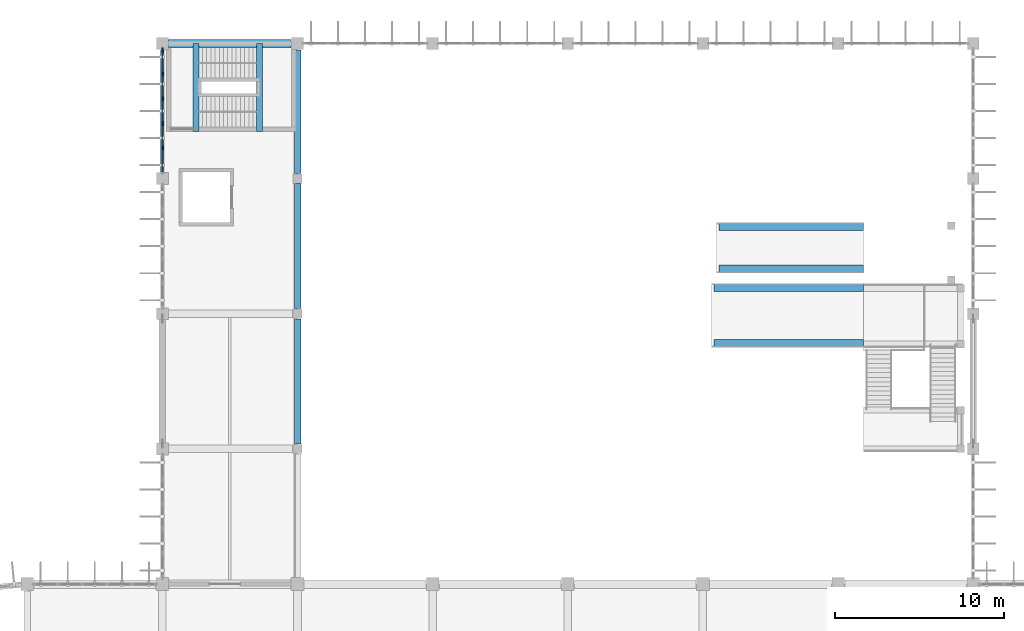
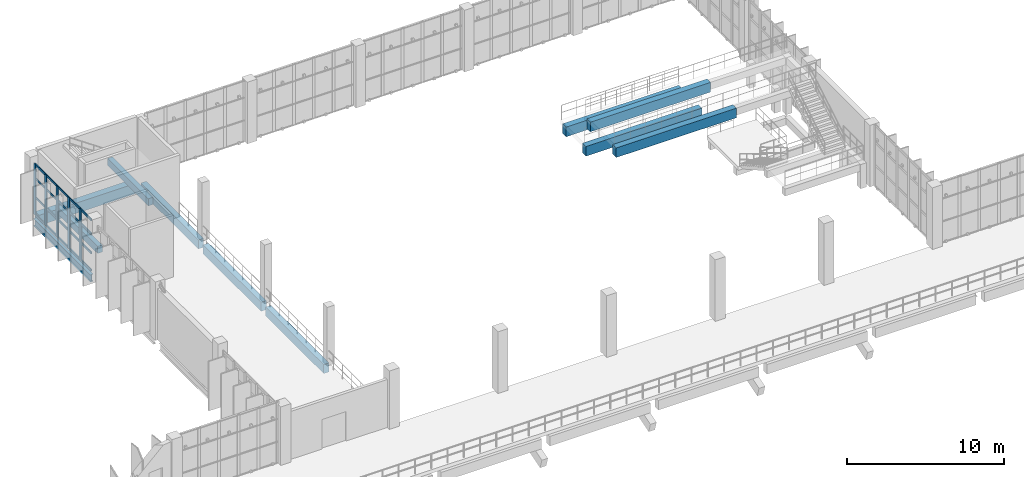
# One storey, part 26 of 93: 25 members, 11 beams, 1 element without a shape of its own.
"""IFC4 building model written with IfcOpenShell, lengths in metres."""

from ifc_helpers import new_model, si_unit, direction, frame, origin, origin_2d, place, context, subcontext, project, spatial, rectangle, i_section, extrude, material, layer, layer_set, material_profile, profile_set, type_object, element, aggregate, save


model = new_model("IFC4")

# Units and contexts
model_context = context("Model", 3, precision=1e-05, world=origin(), true_north=direction((0.0, 1.0)))
body_context = subcontext(model_context, "Body", "Model", "MODEL_VIEW")
ifc_project = project(units=[si_unit("LENGTHUNIT", "METRE"), si_unit("AREAUNIT", "SQUARE_METRE"), si_unit("VOLUMEUNIT", "CUBIC_METRE"), si_unit("PLANEANGLEUNIT", "RADIAN"), si_unit("MASSUNIT", "GRAM", prefix="KILO")], contexts=[model_context])

# Site, building, storey
site_placement = place(None, origin())
site = spatial("IfcSite", under=ifc_project, at=site_placement, CompositionType="ELEMENT")
building_placement = place(site_placement, origin())
building = spatial("IfcBuilding", under=site, at=building_placement, Name="Drelvana Railside Aquatics Centre", CompositionType="ELEMENT")
storey_placement = place(building_placement, frame((0.0, 0.0, 5.39990234375)))
storey = spatial("IfcBuildingStorey", under=building, at=storey_placement, Name="L01", CompositionType="ELEMENT", Elevation=5.39990234375)

# Curtain wall, members
ifc_material_1 = material(Name="Bronze-anodised aluminium curtain wall", Category="aluminium")
ifc_layer = layer(ifc_material_1, 0.2099609375, Name="Bronze-anodised aluminium curtain wall")
ifc_layer_set = layer_set([ifc_layer], Name="Bronze-anodised aluminium curtain wall")
curtain_wall_type = type_object("IfcCurtainWallType", Name="CW-Z7-DIVE", PredefinedType="NOTDEFINED", material=ifc_layer_set)
curtain_wall_placement = place(storey_placement, origin())
curtain_wall = element("IfcCurtainWall", 1, at=curtain_wall_placement, inside=storey, type_object=curtain_wall_type, Name="Curtain wall CW-07-088", PredefinedType="NOTDEFINED")
ifc_material_2 = material(Name="Bronze-anodised aluminium 6063-T6", Category="aluminium")
ifc_material_profile_1 = material_profile(ifc_material_2, rectangle(XDim=0.080078125, YDim=0.25, at=origin_2d()), Name="ALU-M 80x250")
ifc_profile_set_1 = profile_set([ifc_material_profile_1], Name="Bronze-anodised aluminium 6063-T6")
member_type_1 = type_object("IfcMemberType", Name="CW-Z7-DIVE-MUL", PredefinedType="MULLION", material=ifc_profile_set_1)
member_1_placement = place(storey_placement, frame((24.0, 109.806396484375, -0.005859375), z_axis=(0.0, 0.0, 1.0), x_axis=(-1.0, 0.0, 0.0)))
member_1 = element("IfcMember", 2, at=member_1_placement, type_object=member_type_1, Name="CW-07 mullion 2", PredefinedType="MULLION", context=body_context, shape_type="SweptSolid", body=[
    extrude(rectangle(XDim=0.080078125, YDim=0.25, at=origin_2d()), origin(), (0.0, 0.0, 1.0), 3.98583984375),
])
member_2_placement = place(storey_placement, frame((24.0, 111.268798828125, -0.005859375), z_axis=(0.0, 0.0, 1.0), x_axis=(-1.0, 0.0, 0.0)))
member_2 = element("IfcMember", 3, at=member_2_placement, type_object=member_type_1, Name="CW-07 mullion 3", PredefinedType="MULLION", context=body_context, shape_type="SweptSolid", body=[
    extrude(rectangle(XDim=0.080078125, YDim=0.25, at=origin_2d()), origin(), (0.0, 0.0, 1.0), 3.98583984375),
])
member_3_placement = place(storey_placement, frame((24.0, 112.731201171875, -0.005859375), z_axis=(0.0, 0.0, 1.0), x_axis=(-1.0, 0.0, 0.0)))
member_3 = element("IfcMember", 4, at=member_3_placement, type_object=member_type_1, Name="CW-07 mullion 4", PredefinedType="MULLION", context=body_context, shape_type="SweptSolid", body=[
    extrude(rectangle(XDim=0.080078125, YDim=0.25, at=origin_2d()), origin(), (0.0, 0.0, 1.0), 3.98583984375),
])
member_4_placement = place(storey_placement, frame((24.0, 114.193603515625, -0.005859375), z_axis=(0.0, 0.0, 1.0), x_axis=(-1.0, 0.0, 0.0)))
member_4 = element("IfcMember", 5, at=member_4_placement, type_object=member_type_1, Name="CW-07 mullion 5", PredefinedType="MULLION", context=body_context, shape_type="SweptSolid", body=[
    extrude(rectangle(XDim=0.080078125, YDim=0.25, at=origin_2d()), origin(), (0.0, 0.0, 1.0), 3.98583984375),
])
member_5_placement = place(storey_placement, frame((24.0, 115.615966796875, -0.005859375), z_axis=(0.0, 0.0, 1.0), x_axis=(-1.0, 0.0, 0.0)))
member_5 = element("IfcMember", 6, at=member_5_placement, type_object=member_type_1, Name="CW-07 mullion 6", PredefinedType="MULLION", context=body_context, shape_type="SweptSolid", body=[
    extrude(rectangle(XDim=0.080078125, YDim=0.25, at=origin_2d()), origin(), (0.0, 0.0, 1.0), 3.98583984375),
])
ifc_material_profile_2 = material_profile(ifc_material_2, rectangle(XDim=0.159912109375, YDim=0.070068359375, at=origin_2d()), Name="ALU-T 70x160")
ifc_profile_set_2 = profile_set([ifc_material_profile_2], Name="Bronze-anodised aluminium 6063-T6")
member_type_2 = type_object("IfcMemberType", Name="CW-Z7-DIVE-TRN", PredefinedType="USERDEFINED", material=ifc_profile_set_2)
member_6_placement = place(storey_placement, frame((24.0, 108.4189453125, 0.029052734375), z_axis=(0.0, 1.0, 0.0), x_axis=(0.0, 0.0, 1.0)))
member_6 = element("IfcMember", 7, at=member_6_placement, type_object=member_type_2, Name="CW-07 transom 1.1", ObjectType="TRANSOM", PredefinedType="USERDEFINED", context=body_context, shape_type="SweptSolid", body=[
    extrude(rectangle(XDim=0.159912109375, YDim=0.070068359375, at=origin_2d()), origin(), (0.0, 0.0, 1.0), 1.3525390625),
])
member_7_placement = place(storey_placement, frame((24.0, 108.4189453125, 1.38916015625), z_axis=(0.0, 1.0, 0.0), x_axis=(0.0, 0.0, 1.0)))
member_7 = element("IfcMember", 8, at=member_7_placement, type_object=member_type_2, Name="CW-07 transom 1.2", ObjectType="TRANSOM", PredefinedType="USERDEFINED", context=body_context, shape_type="SweptSolid", body=[
    extrude(rectangle(XDim=0.159912109375, YDim=0.070068359375, at=origin_2d()), origin(), (0.0, 0.0, 1.0), 1.3525390625),
])
member_8_placement = place(storey_placement, frame((24.0, 108.4189453125, 2.864013671875), z_axis=(0.0, 1.0, 0.0), x_axis=(0.0, 0.0, 1.0)))
member_8 = element("IfcMember", 9, at=member_8_placement, type_object=member_type_2, Name="CW-07 transom 1.3", ObjectType="TRANSOM", PredefinedType="USERDEFINED", context=body_context, shape_type="SweptSolid", body=[
    extrude(rectangle(XDim=0.159912109375, YDim=0.070068359375, at=origin_2d()), origin(), (0.0, 0.0, 1.0), 1.3525390625),
])
member_9_placement = place(storey_placement, frame((24.0, 108.4189453125, 3.945068359375), z_axis=(0.0, 1.0, 0.0), x_axis=(0.0, 0.0, 1.0)))
member_9 = element("IfcMember", 10, at=member_9_placement, type_object=member_type_2, Name="CW-07 transom 1.4", ObjectType="TRANSOM", PredefinedType="USERDEFINED", context=body_context, shape_type="SweptSolid", body=[
    extrude(rectangle(XDim=0.159912109375, YDim=0.070068359375, at=origin_2d()), origin(), (0.0, 0.0, 1.0), 1.3525390625),
])
member_10_placement = place(storey_placement, frame((24.0, 109.84130859375, 0.029052734375), z_axis=(0.0, 1.0, 0.0), x_axis=(0.0, 0.0, 1.0)))
member_10 = element("IfcMember", 11, at=member_10_placement, type_object=member_type_2, Name="CW-07 transom 2.1", ObjectType="TRANSOM", PredefinedType="USERDEFINED", context=body_context, shape_type="SweptSolid", body=[
    extrude(rectangle(XDim=0.159912109375, YDim=0.070068359375, at=origin_2d()), origin(), (0.0, 0.0, 1.0), 1.392578125),
])
member_11_placement = place(storey_placement, frame((24.0, 109.84130859375, 1.38916015625), z_axis=(0.0, 1.0, 0.0), x_axis=(0.0, 0.0, 1.0)))
member_11 = element("IfcMember", 12, at=member_11_placement, type_object=member_type_2, Name="CW-07 transom 2.2", ObjectType="TRANSOM", PredefinedType="USERDEFINED", context=body_context, shape_type="SweptSolid", body=[
    extrude(rectangle(XDim=0.159912109375, YDim=0.070068359375, at=origin_2d()), origin(), (0.0, 0.0, 1.0), 1.392578125),
])
member_12_placement = place(storey_placement, frame((24.0, 109.84130859375, 2.864013671875), z_axis=(0.0, 1.0, 0.0), x_axis=(0.0, 0.0, 1.0)))
member_12 = element("IfcMember", 13, at=member_12_placement, type_object=member_type_2, Name="CW-07 transom 2.3", ObjectType="TRANSOM", PredefinedType="USERDEFINED", context=body_context, shape_type="SweptSolid", body=[
    extrude(rectangle(XDim=0.159912109375, YDim=0.070068359375, at=origin_2d()), origin(), (0.0, 0.0, 1.0), 1.392578125),
])
member_13_placement = place(storey_placement, frame((24.0, 109.84130859375, 3.945068359375), z_axis=(0.0, 1.0, 0.0), x_axis=(0.0, 0.0, 1.0)))
member_13 = element("IfcMember", 14, at=member_13_placement, type_object=member_type_2, Name="CW-07 transom 2.4", ObjectType="TRANSOM", PredefinedType="USERDEFINED", context=body_context, shape_type="SweptSolid", body=[
    extrude(rectangle(XDim=0.159912109375, YDim=0.070068359375, at=origin_2d()), origin(), (0.0, 0.0, 1.0), 1.392578125),
])
member_14_placement = place(storey_placement, frame((24.0, 111.3037109375, 0.029052734375), z_axis=(0.0, 1.0, 0.0), x_axis=(0.0, 0.0, 1.0)))
member_14 = element("IfcMember", 15, at=member_14_placement, type_object=member_type_2, Name="CW-07 transom 3.1", ObjectType="TRANSOM", PredefinedType="USERDEFINED", context=body_context, shape_type="SweptSolid", body=[
    extrude(rectangle(XDim=0.159912109375, YDim=0.070068359375, at=origin_2d()), origin(), (0.0, 0.0, 1.0), 1.392578125),
])
member_15_placement = place(storey_placement, frame((24.0, 111.3037109375, 1.38916015625), z_axis=(0.0, 1.0, 0.0), x_axis=(0.0, 0.0, 1.0)))
member_15 = element("IfcMember", 16, at=member_15_placement, type_object=member_type_2, Name="CW-07 transom 3.2", ObjectType="TRANSOM", PredefinedType="USERDEFINED", context=body_context, shape_type="SweptSolid", body=[
    extrude(rectangle(XDim=0.159912109375, YDim=0.070068359375, at=origin_2d()), origin(), (0.0, 0.0, 1.0), 1.392578125),
])
member_16_placement = place(storey_placement, frame((24.0, 111.3037109375, 2.864013671875), z_axis=(0.0, 1.0, 0.0), x_axis=(0.0, 0.0, 1.0)))
member_16 = element("IfcMember", 17, at=member_16_placement, type_object=member_type_2, Name="CW-07 transom 3.3", ObjectType="TRANSOM", PredefinedType="USERDEFINED", context=body_context, shape_type="SweptSolid", body=[
    extrude(rectangle(XDim=0.159912109375, YDim=0.070068359375, at=origin_2d()), origin(), (0.0, 0.0, 1.0), 1.392578125),
])
member_17_placement = place(storey_placement, frame((24.0, 111.3037109375, 3.945068359375), z_axis=(0.0, 1.0, 0.0), x_axis=(0.0, 0.0, 1.0)))
member_17 = element("IfcMember", 18, at=member_17_placement, type_object=member_type_2, Name="CW-07 transom 3.4", ObjectType="TRANSOM", PredefinedType="USERDEFINED", context=body_context, shape_type="SweptSolid", body=[
    extrude(rectangle(XDim=0.159912109375, YDim=0.070068359375, at=origin_2d()), origin(), (0.0, 0.0, 1.0), 1.392578125),
])
member_18_placement = place(storey_placement, frame((24.0, 112.76611328125, 0.029052734375), z_axis=(0.0, 1.0, 0.0), x_axis=(0.0, 0.0, 1.0)))
member_18 = element("IfcMember", 19, at=member_18_placement, type_object=member_type_2, Name="CW-07 transom 4.1", ObjectType="TRANSOM", PredefinedType="USERDEFINED", context=body_context, shape_type="SweptSolid", body=[
    extrude(rectangle(XDim=0.159912109375, YDim=0.070068359375, at=origin_2d()), origin(), (0.0, 0.0, 1.0), 1.392578125),
])
member_19_placement = place(storey_placement, frame((24.0, 112.76611328125, 1.38916015625), z_axis=(0.0, 1.0, 0.0), x_axis=(0.0, 0.0, 1.0)))
member_19 = element("IfcMember", 20, at=member_19_placement, type_object=member_type_2, Name="CW-07 transom 4.2", ObjectType="TRANSOM", PredefinedType="USERDEFINED", context=body_context, shape_type="SweptSolid", body=[
    extrude(rectangle(XDim=0.159912109375, YDim=0.070068359375, at=origin_2d()), origin(), (0.0, 0.0, 1.0), 1.392578125),
])
member_20_placement = place(storey_placement, frame((24.0, 112.76611328125, 2.864013671875), z_axis=(0.0, 1.0, 0.0), x_axis=(0.0, 0.0, 1.0)))
member_20 = element("IfcMember", 21, at=member_20_placement, type_object=member_type_2, Name="CW-07 transom 4.3", ObjectType="TRANSOM", PredefinedType="USERDEFINED", context=body_context, shape_type="SweptSolid", body=[
    extrude(rectangle(XDim=0.159912109375, YDim=0.070068359375, at=origin_2d()), origin(), (0.0, 0.0, 1.0), 1.392578125),
])
member_21_placement = place(storey_placement, frame((24.0, 112.76611328125, 3.945068359375), z_axis=(0.0, 1.0, 0.0), x_axis=(0.0, 0.0, 1.0)))
member_21 = element("IfcMember", 22, at=member_21_placement, type_object=member_type_2, Name="CW-07 transom 4.4", ObjectType="TRANSOM", PredefinedType="USERDEFINED", context=body_context, shape_type="SweptSolid", body=[
    extrude(rectangle(XDim=0.159912109375, YDim=0.070068359375, at=origin_2d()), origin(), (0.0, 0.0, 1.0), 1.392578125),
])
member_22_placement = place(storey_placement, frame((24.0, 114.228515625, 0.029052734375), z_axis=(0.0, 1.0, 0.0), x_axis=(0.0, 0.0, 1.0)))
member_22 = element("IfcMember", 23, at=member_22_placement, type_object=member_type_2, Name="CW-07 transom 5.1", ObjectType="TRANSOM", PredefinedType="USERDEFINED", context=body_context, shape_type="SweptSolid", body=[
    extrude(rectangle(XDim=0.159912109375, YDim=0.070068359375, at=origin_2d()), origin(), (0.0, 0.0, 1.0), 1.3525390625),
])
member_23_placement = place(storey_placement, frame((24.0, 114.228515625, 1.38916015625), z_axis=(0.0, 1.0, 0.0), x_axis=(0.0, 0.0, 1.0)))
member_23 = element("IfcMember", 24, at=member_23_placement, type_object=member_type_2, Name="CW-07 transom 5.2", ObjectType="TRANSOM", PredefinedType="USERDEFINED", context=body_context, shape_type="SweptSolid", body=[
    extrude(rectangle(XDim=0.159912109375, YDim=0.070068359375, at=origin_2d()), origin(), (0.0, 0.0, 1.0), 1.3525390625),
])
member_24_placement = place(storey_placement, frame((24.0, 114.228515625, 2.864013671875), z_axis=(0.0, 1.0, 0.0), x_axis=(0.0, 0.0, 1.0)))
member_24 = element("IfcMember", 25, at=member_24_placement, type_object=member_type_2, Name="CW-07 transom 5.3", ObjectType="TRANSOM", PredefinedType="USERDEFINED", context=body_context, shape_type="SweptSolid", body=[
    extrude(rectangle(XDim=0.159912109375, YDim=0.070068359375, at=origin_2d()), origin(), (0.0, 0.0, 1.0), 1.3525390625),
])
member_25_placement = place(storey_placement, frame((24.0, 114.228515625, 3.945068359375), z_axis=(0.0, 1.0, 0.0), x_axis=(0.0, 0.0, 1.0)))
member_25 = element("IfcMember", 26, at=member_25_placement, type_object=member_type_2, Name="CW-07 transom 5.4", ObjectType="TRANSOM", PredefinedType="USERDEFINED", context=body_context, shape_type="SweptSolid", body=[
    extrude(rectangle(XDim=0.159912109375, YDim=0.070068359375, at=origin_2d()), origin(), (0.0, 0.0, 1.0), 1.3525390625),
])
aggregate(curtain_wall, [member_1, member_2, member_3, member_4, member_5, member_6, member_7, member_8, member_9, member_10, member_11, member_12, member_13, member_14, member_15, member_16, member_17, member_18, member_19, member_20, member_21, member_22, member_23, member_24, member_25])

# Beams
ifc_material_3 = material(Name="Concrete C40/50", Category="concrete")
ifc_material_profile_3 = material_profile(ifc_material_3, rectangle(XDim=0.35009765625, YDim=0.550048828125, at=origin_2d()), Name="RC 350x550")
ifc_profile_set_3 = profile_set([ifc_material_profile_3], Name="Concrete C40/50")
beam_type_1 = type_object("IfcBeamType", Name="STR-BM-BM-01-RC-350x550", PredefinedType="BEAM", material=ifc_profile_set_3)
for number, where, z_axis, x_axis, name in (
    (27, (26.0, 110.800048828125, -0.474853515625), (0.0, 1.0, 0.0), (-1.0, 0.0, 0.0), "Stair ST-03 L01 landing beam"),
    (28, (29.739990234375, 110.800048828125, 1.925048828125), (0.0, 1.0, 0.0), (-1.0, 0.0, 0.0), "Stair ST-03 L01 mid-landing beam"),
):
    element("IfcBeam", number, at=place(storey_placement, frame(where, z_axis=z_axis, x_axis=x_axis)), inside=storey, type_object=beam_type_1, Name=name, PredefinedType="BEAM", context=body_context, shape_type="SweptSolid", body=[
        extrude(rectangle(XDim=0.35009765625, YDim=0.550048828125, at=origin_2d()), origin(), (0.0, 0.0, 1.0), 5.199951171875),
    ])
ifc_material_profile_4 = material_profile(ifc_material_3, rectangle(XDim=0.39990234375, YDim=0.699951171875, at=origin_2d()), Name="RC 400x700")
ifc_profile_set_4 = profile_set([ifc_material_profile_4], Name="Concrete C40/50")
beam_type_2 = type_object("IfcBeamType", Name="STR-BM-BM-03-RC-400x700", PredefinedType="BEAM", material=ifc_profile_set_4)
for number, where, z_axis, x_axis, name in (
    (29, (32.0, 92.300048828125, -0.625), (0.0, 1.0, 0.0), (-1.0, 0.0, 0.0), "Girder BM-03 (L01)"),
    (30, (32.0, 100.300048828125, -0.625), (0.0, 1.0, 0.0), (-1.0, 0.0, 0.0), "Girder BM-03 (L01)"),
):
    element("IfcBeam", number, at=place(storey_placement, frame(where, z_axis=z_axis, x_axis=x_axis)), inside=storey, type_object=beam_type_2, Name=name, PredefinedType="BEAM", context=body_context, shape_type="SweptSolid", body=[
        extrude(rectangle(XDim=0.39990234375, YDim=0.699951171875, at=origin_2d()), origin(), (0.0, 0.0, 1.0), 7.39990234375),
    ])
beam_1_placement = place(storey_placement, frame((32.0, 108.300048828125, -0.625), z_axis=(0.0, 1.0, 0.0), x_axis=(-1.0, 0.0, 0.0)))
element("IfcBeam", 31, at=beam_1_placement, inside=storey, type_object=beam_type_2, Name="Girder BM-03 (L01)", PredefinedType="BEAM", context=body_context, shape_type="SweptSolid", body=[
    extrude(rectangle(XDim=0.39990234375, YDim=0.699951171875, at=origin_2d()), origin(), (0.0, 0.0, 1.0), 7.324951171875),
])
ifc_material_profile_5 = material_profile(ifc_material_3, rectangle(XDim=0.449951171875, YDim=0.75, at=origin_2d()), Name="RC 450x750")
ifc_profile_set_5 = profile_set([ifc_material_profile_5], Name="Concrete C40/50")
beam_type_3 = type_object("IfcBeamType", Name="STR-BM-BM-04-RC-450x750", PredefinedType="BEAM", material=ifc_profile_set_5)
for number, where, z_axis, x_axis, name in (
    (32, (65.5, 102.64990234375, 1.385009765625), (-1.0, 0.0, 0.0), (0.0, -1.0, 0.0), "Diving platform 7M5 support beam 1"),
    (33, (65.5, 105.14990234375, 1.385009765625), (-1.0, 0.0, 0.0), (0.0, -1.0, 0.0), "Diving platform 7M5 support beam 2"),
):
    element("IfcBeam", number, at=place(storey_placement, frame(where, z_axis=z_axis, x_axis=x_axis)), inside=storey, type_object=beam_type_3, Name=name, PredefinedType="BEAM", context=body_context, shape_type="SweptSolid", body=[
        extrude(rectangle(XDim=0.449951171875, YDim=0.75, at=origin_2d()), origin(), (0.0, 0.0, 1.0), 8.550048828125),
    ])
for number, where, z_axis, x_axis, name in (
    (34, (65.5, 98.25, 4.05517578125), (-1.0, 0.0, 0.0), (0.0, -1.0, 0.0), "Diving platform 10M support beam 1"),
    (35, (65.5, 101.550048828125, 4.05517578125), (-1.0, 0.0, 0.0), (0.0, -1.0, 0.0), "Diving platform 10M support beam 2"),
):
    element("IfcBeam", number, at=place(storey_placement, frame(where, z_axis=z_axis, x_axis=x_axis)), inside=storey, type_object=beam_type_3, Name=name, PredefinedType="BEAM", context=body_context, shape_type="SweptSolid", body=[
        extrude(rectangle(XDim=0.449951171875, YDim=0.75, at=origin_2d()), origin(), (0.0, 0.0, 1.0), 8.85009765625),
    ])
ifc_material_profile_6 = material_profile(ifc_material_3, rectangle(XDim=0.5, YDim=0.800048828125, at=origin_2d()), Name="RC 500x800")
ifc_profile_set_6 = profile_set([ifc_material_profile_6], Name="Concrete C40/50")
beam_type_4 = type_object("IfcBeamType", Name="STR-BM-BM-06-RC-500x800", PredefinedType="SPANDREL", material=ifc_profile_set_6)
beam_2_placement = place(storey_placement, frame((24.375, 116.0, -0.6748046875), z_axis=(1.0, 0.0, 0.0), x_axis=(0.0, 1.0, 0.0)))
element("IfcBeam", 36, at=beam_2_placement, inside=storey, type_object=beam_type_4, Name="Girder BM-06 (L01)", PredefinedType="SPANDREL", context=body_context, shape_type="SweptSolid", body=[
    extrude(rectangle(XDim=0.5, YDim=0.800048828125, at=origin_2d()), origin(), (0.0, 0.0, 1.0), 7.25),
])
ifc_material_4 = material(Name="Structural steel S355", Category="steel")
ifc_material_profile_7 = material_profile(ifc_material_4, i_section(OverallWidth=0.2099609375, OverallDepth=0.550048828125, WebThickness=0.010986328125, FlangeThickness=0.01708984375, at=origin_2d()), Name="IPE 550")
ifc_profile_set_7 = profile_set([ifc_material_profile_7], Name="Structural steel S355")
beam_type_5 = type_object("IfcBeamType", Name="STR-SBM-SB-04-IPE-550", PredefinedType="SPANDREL", material=ifc_profile_set_7)
beam_3_placement = place(storey_placement, frame((24.0, 108.375, -0.5498046875), z_axis=(0.0, 1.0, 0.0), x_axis=(-1.0, 0.0, 0.0)))
element("IfcBeam", 37, at=beam_3_placement, inside=storey, type_object=beam_type_5, Name="Girder SB-04 (L01)", PredefinedType="SPANDREL", context=body_context, shape_type="SweptSolid", body=[
    extrude(i_section(OverallWidth=0.2099609375, OverallDepth=0.550048828125, WebThickness=0.010986328125, FlangeThickness=0.01708984375, at=origin_2d()), origin(), (0.0, 0.0, 1.0), 7.25),
])

save(model, "model.ifc")
